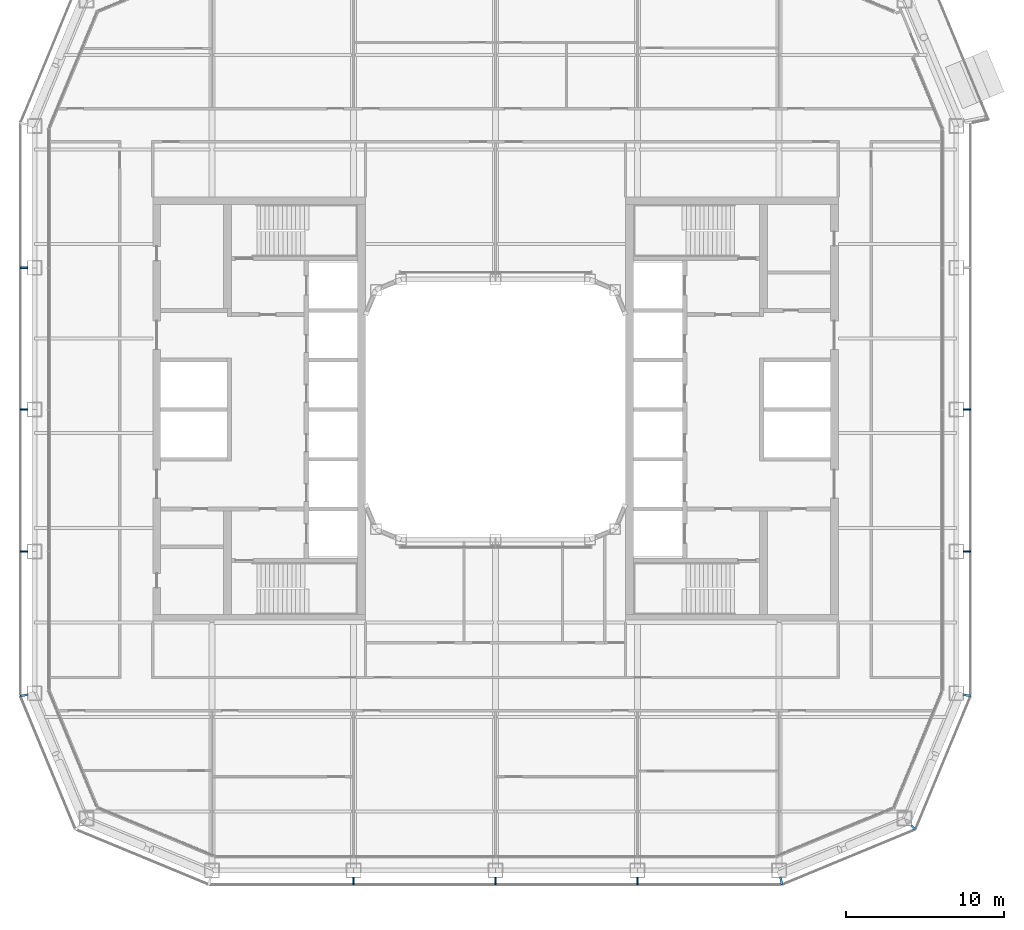
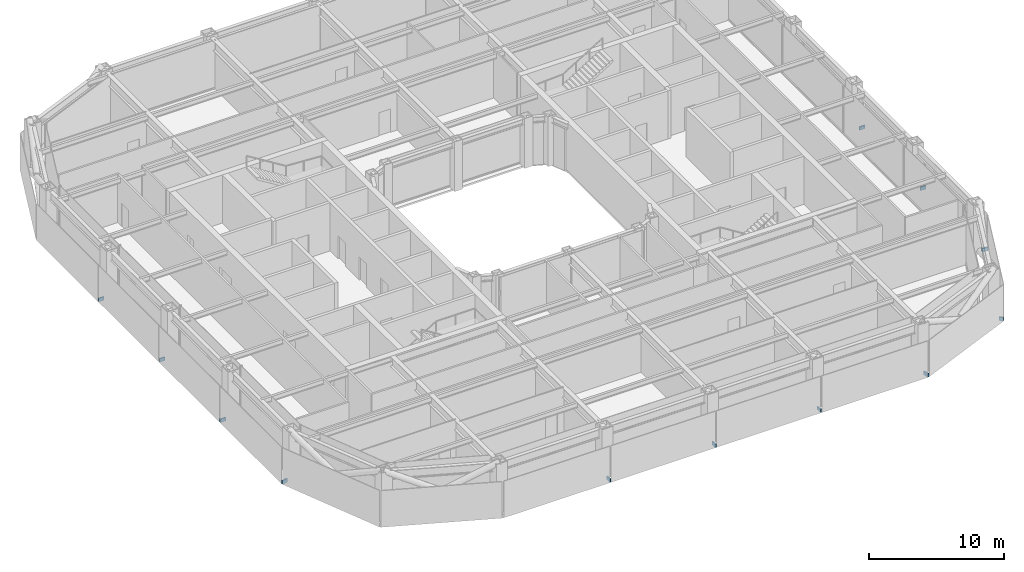
# One storey, part 16 of 24: 12 discrete accessories.
"""IFC4 building model written with IfcOpenShell, lengths in metres."""

from ifc_helpers import new_model, si_unit, direction, frame, origin, origin_2d, place, context, subcontext, project, spatial, rectangle, extrude, material, type_object, element, save


model = new_model("IFC4")

# Units and contexts
model_context = context("Model", 3, precision=1e-05, world=origin(), true_north=direction((0.0, 1.0)))
body_context = subcontext(model_context, "Body", "Model", "MODEL_VIEW")
ifc_project = project(units=[si_unit("LENGTHUNIT", "METRE"), si_unit("AREAUNIT", "SQUARE_METRE"), si_unit("VOLUMEUNIT", "CUBIC_METRE"), si_unit("PLANEANGLEUNIT", "RADIAN"), si_unit("MASSUNIT", "GRAM", prefix="KILO")], contexts=[model_context])

# Site, building, storey
site_placement = place(None, origin())
site = spatial("IfcSite", under=ifc_project, at=site_placement, CompositionType="ELEMENT")
building_placement = place(site_placement, origin())
building = spatial("IfcBuilding", under=site, at=building_placement, Name="Siwar Civic Tower", CompositionType="ELEMENT")
storey_placement = place(building_placement, frame((0.0, 0.0, 113.699951171875)))
storey = spatial("IfcBuildingStorey", under=building, at=storey_placement, Name="L24", CompositionType="ELEMENT", Elevation=113.699951171875)

# Discrete accessories
ifc_material = material(Name="Stainless steel 316", Category="steel")
discrete_accessory_type = type_object("IfcDiscreteAccessoryType", Name="ENV-BRACKET", PredefinedType="BRACKET", material=ifc_material)
for number, where, z_axis, x_axis, name in (
    (1, (29.9150390625, -9.0, -0.14990234375), (0.0, 0.0, 1.0), (1.0, 0.0, 0.0), "Bracket outer skin joint E-01"),
    (2, (29.9150390625, 0.0, -0.14990234375), (0.0, 0.0, 1.0), (1.0, 0.0, 0.0), "Bracket outer skin joint E-02"),
    (3, (-9.0, -29.9150390625, -0.14990234375), (0.0, 0.0, 1.0), (0.0, -1.0, 0.0), "Bracket outer skin joint S-01"),
    (4, (0.0, -29.9150390625, -0.14990234375), (0.0, 0.0, 1.0), (0.0, -1.0, 0.0), "Bracket outer skin joint S-02"),
    (5, (9.0, -29.9150390625, -0.14990234375), (0.0, 0.0, 1.0), (0.0, -1.0, 0.0), "Bracket outer skin joint S-03"),
):
    element("IfcDiscreteAccessory", number, at=place(storey_placement, frame(where, z_axis=z_axis, x_axis=x_axis)), inside=storey, type_object=discrete_accessory_type, Name=name, PredefinedType="BRACKET", context=body_context, shape_type="SweptSolid", body=[
        extrude(rectangle(XDim=0.469970703125, YDim=0.10009765625, at=origin_2d()), origin(), (0.0, 0.0, 1.0), 0.300048828125),
    ])
discrete_accessory_1_placement = place(storey_placement, frame((18.13232421875, -29.915283203125, -0.14990234375), z_axis=(0.0, 0.0, 1.0), x_axis=(0.195090322016, -0.980785280403, 0.0)))
element("IfcDiscreteAccessory", 6, at=discrete_accessory_1_placement, inside=storey, type_object=discrete_accessory_type, Name="Bracket outer skin joint V01", PredefinedType="BRACKET", context=body_context, shape_type="SweptSolid", body=[
    extrude(rectangle(XDim=0.478759765625, YDim=0.13720703125, at=origin_2d()), origin(), (0.0, 0.0, 1.0), 0.300048828125),
])
discrete_accessory_2_placement = place(storey_placement, frame((26.517333984375, -26.517333984375, -0.14990234375), z_axis=(0.0, 0.0, 1.0), x_axis=(0.707106781187, -0.707106781187, 0.0)))
element("IfcDiscreteAccessory", 7, at=discrete_accessory_2_placement, inside=storey, type_object=discrete_accessory_type, Name="Bracket outer skin joint V02", PredefinedType="BRACKET", context=body_context, shape_type="SweptSolid", body=[
    extrude(rectangle(XDim=0.357666015625, YDim=0.12939453125, at=origin_2d()), origin(), (0.0, 0.0, 1.0), 0.300048828125),
])
for number, where, z_axis, x_axis, name in (
    (8, (29.915283203125, -18.13232421875, -0.14990234375), (0.0, 0.0, 1.0), (0.980785280403, -0.195090322016, 0.0), "Bracket outer skin joint V03"),
    (9, (-29.915283203125, -18.13232421875, -0.14990234375), (0.0, 0.0, 1.0), (-0.980785280403, -0.195090322016, 0.0), "Bracket outer skin joint V10"),
):
    element("IfcDiscreteAccessory", number, at=place(storey_placement, frame(where, z_axis=z_axis, x_axis=x_axis)), inside=storey, type_object=discrete_accessory_type, Name=name, PredefinedType="BRACKET", context=body_context, shape_type="SweptSolid", body=[
        extrude(rectangle(XDim=0.478759765625, YDim=0.13720703125, at=origin_2d()), origin(), (0.0, 0.0, 1.0), 0.300048828125),
    ])
for number, where, z_axis, x_axis, name in (
    (10, (-29.9150390625, 9.0, -0.14990234375), (0.0, 0.0, 1.0), (-1.0, 0.0, 0.0), "Bracket outer skin joint W-01"),
    (11, (-29.9150390625, 0.0, -0.14990234375), (0.0, 0.0, 1.0), (-1.0, 0.0, 0.0), "Bracket outer skin joint W-02"),
    (12, (-29.9150390625, -9.0, -0.14990234375), (0.0, 0.0, 1.0), (-1.0, 0.0, 0.0), "Bracket outer skin joint W-03"),
):
    element("IfcDiscreteAccessory", number, at=place(storey_placement, frame(where, z_axis=z_axis, x_axis=x_axis)), inside=storey, type_object=discrete_accessory_type, Name=name, PredefinedType="BRACKET", context=body_context, shape_type="SweptSolid", body=[
        extrude(rectangle(XDim=0.469970703125, YDim=0.10009765625, at=origin_2d()), origin(), (0.0, 0.0, 1.0), 0.300048828125),
    ])

save(model, "model.ifc")
